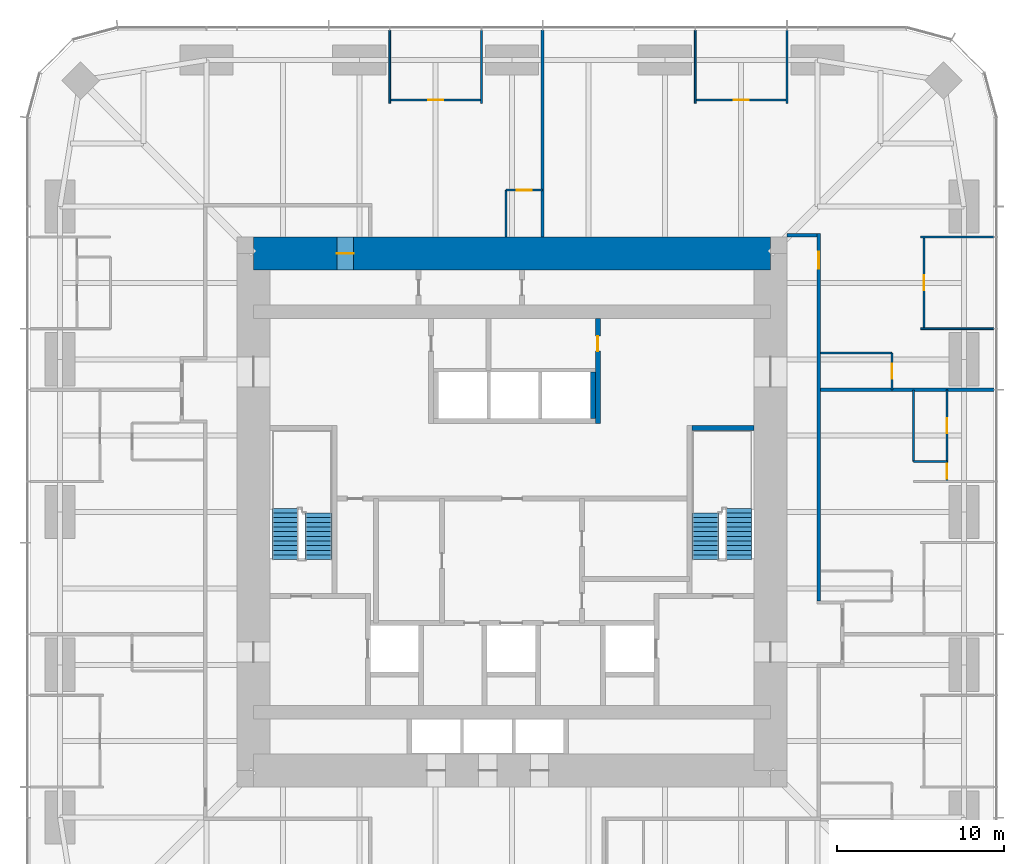
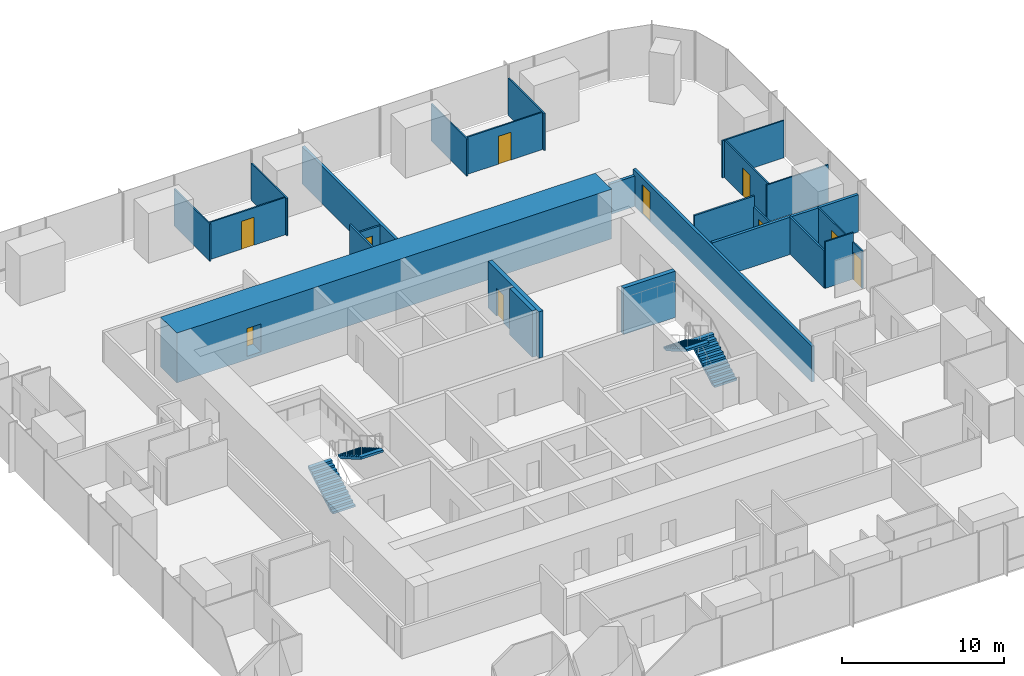
# One storey, part 12 of 13: 24 walls, 10 doors, 4 stair flights, 10 openings, 2 elements without a shape of their own.
"""IFC4 building model written with IfcOpenShell, lengths in metres."""

from ifc_helpers import new_model, si_unit, direction, frame, frame_2d, origin, place, context, subcontext, project, spatial, polyline, rectangle, outline, extrude, material, layer, layer_set, type_object, element, fill, aggregate, save


model = new_model("IFC4")

# Units and contexts
model_context = context("Model", 3, precision=1e-05, world=origin(), true_north=direction((0.0, 1.0)))
body_context = subcontext(model_context, "Body", "Model", "MODEL_VIEW")
ifc_project = project(units=[si_unit("LENGTHUNIT", "METRE"), si_unit("AREAUNIT", "SQUARE_METRE"), si_unit("VOLUMEUNIT", "CUBIC_METRE"), si_unit("PLANEANGLEUNIT", "RADIAN"), si_unit("MASSUNIT", "GRAM", prefix="KILO")], contexts=[model_context])

# Site, building, storey
site_placement = place(None, origin())
site = spatial("IfcSite", under=ifc_project, at=site_placement, CompositionType="ELEMENT")
building_placement = place(site_placement, origin())
building = spatial("IfcBuilding", under=site, at=building_placement, Name="Khuree Lantern Residences", CompositionType="ELEMENT")
storey_placement = place(building_placement, frame((0.0, 0.0, 129.75)))
storey = spatial("IfcBuildingStorey", under=building, at=storey_placement, Name="L32", CompositionType="ELEMENT", Elevation=129.75)

# Wall
ifc_material_1 = material(Name="Moisture-resistant gypsum board on steel studs", Category="steel")
ifc_layer_1 = layer(ifc_material_1, 0.125)
ifc_layer_set_1 = layer_set([ifc_layer_1], Name="BATHROOM WALL BTW125")
wall_type_1 = type_object("IfcWallType", Name="BATHROOM WALL BTW125", PredefinedType="PARTITIONING", material=ifc_layer_set_1)
wall_1_placement = place(storey_placement, frame((24.079833984375, 3.031982421875, 0.0), z_axis=(0.0, 0.0, 1.0), x_axis=(0.0, 1.0, 0.0)))
element("IfcWall", 1, at=wall_1_placement, inside=storey, type_object=wall_type_1, Name="L32 BATHROOM WALL 01", PredefinedType="PARTITIONING", context=body_context, shape_type="SweptSolid", body=[
    extrude(rectangle(XDim=4.2958984375, YDim=0.125, at=frame_2d((2.14794921875, 0.0))), origin(), (0.0, 0.0, 1.0), 2.81005859375),
])

# Wall, opening, door
wall_2_placement = place(storey_placement, frame((22.77978515625, 7.327880859375, 0.0), z_axis=(0.0, 0.0, 1.0), x_axis=(0.0, 1.0, 0.0)))
wall_2 = element("IfcWall", 2, at=wall_2_placement, inside=storey, type_object=wall_type_1, Name="L32 BATHROOM WALL 02", PredefinedType="PARTITIONING", context=body_context, shape_type="SweptSolid", body=[
    extrude(rectangle(XDim=2.2001953125, YDim=0.125, at=frame_2d((1.10009765625, 0.0))), origin(), (0.0, 0.0, 1.0), 2.699951171875),
])
opening_1_placement = place(wall_2_placement, frame((0.64990234375, 0.0, 0.0)))
opening_1 = element("IfcOpeningElement", 3, at=opening_1_placement, cuts=wall_2, Name="Opening 32-032", PredefinedType="OPENING", context=body_context, shape_type="SweptSolid", body=[
    extrude(rectangle(XDim=0.89990234375, YDim=2.10009765625, at=frame_2d((0.449951171875, 1.050048828125))), frame((0.0, 0.072509765625, 0.0), z_axis=(0.0, -1.0, 0.0), x_axis=(1.0, 0.0, 0.0)), (0.0, 0.0, 1.0), 0.14501953125),
])
ifc_material_2 = material(Name="Timber door leaf in hardwood frame", Category="wood")
door_type_1 = type_object("IfcDoorType", Name="BATHROOM DOOR 900X2100", OperationType="SINGLE_SWING_LEFT", PredefinedType="DOOR", material=ifc_material_2)
door_1_placement = place(opening_1_placement, origin())
door_1 = element("IfcDoor", 4, at=door_1_placement, inside=storey, type_object=door_type_1, Name="Bathroom door 32-032", OperationType="SINGLE_SWING_LEFT", OverallHeight=2.10009765625, OverallWidth=0.89990234375, PredefinedType="DOOR", context=body_context, shape_type="SweptSolid", body=[
    extrude(rectangle(XDim=0.89990234375, YDim=2.10009765625, at=frame_2d((0.449951171875, 1.050048828125))), frame((0.0, 0.02490234375, 0.0), z_axis=(0.0, -1.0, 0.0), x_axis=(1.0, 0.0, 0.0)), (0.0, 0.0, 1.0), 0.050048828125),
])
fill(opening_1, door_1)

# Wall
wall_3_placement = place(storey_placement, frame((18.5, 9.528076171875, 0.0), z_axis=(0.0, 0.0, 1.0), x_axis=(1.0, 0.0, 0.0)))
element("IfcWall", 5, at=wall_3_placement, inside=storey, type_object=wall_type_1, Name="L32 BATHROOM WALL 02", PredefinedType="PARTITIONING", context=body_context, shape_type="SweptSolid", body=[
    extrude(rectangle(XDim=4.27978515625, YDim=0.125, at=frame_2d((2.139892578125, 0.0))), origin(), (0.0, 0.0, 1.0), 3.5),
])

# Wall, opening, door
wall_4_placement = place(storey_placement, frame((1.83203125, 19.300048828125, 0.0), z_axis=(0.0, 0.0, 1.0), x_axis=(-1.0, 0.0, 0.0)))
wall_4 = element("IfcWall", 6, at=wall_4_placement, inside=storey, type_object=wall_type_1, Name="L32 BATHROOM WALL 03", PredefinedType="PARTITIONING", context=body_context, shape_type="SweptSolid", body=[
    extrude(rectangle(XDim=2.199951171875, YDim=0.125, at=frame_2d((1.10009765625, 0.0))), origin(), (0.0, 0.0, 1.0), 2.699951171875),
])
opening_2_placement = place(wall_4_placement, frame((0.64990234375, 0.0, 0.0)))
opening_2 = element("IfcOpeningElement", 7, at=opening_2_placement, cuts=wall_4, Name="Opening 32-037", PredefinedType="OPENING", context=body_context, shape_type="SweptSolid", body=[
    extrude(rectangle(XDim=0.89990234375, YDim=2.10009765625, at=frame_2d((0.449951171875, 1.050048828125))), frame((0.0, 0.072509765625, 0.0), z_axis=(0.0, -1.0, 0.0), x_axis=(1.0, 0.0, 0.0)), (0.0, 0.0, 1.0), 0.14501953125),
])
door_2_placement = place(opening_2_placement, origin())
door_2 = element("IfcDoor", 8, at=door_2_placement, inside=storey, type_object=door_type_1, Name="Bathroom door 32-037", OperationType="SINGLE_SWING_LEFT", OverallHeight=2.10009765625, OverallWidth=0.89990234375, PredefinedType="DOOR", context=body_context, shape_type="SweptSolid", body=[
    extrude(rectangle(XDim=0.89990234375, YDim=2.10009765625, at=frame_2d((0.449951171875, 1.050048828125))), frame((0.0, 0.02490234375, 0.0), z_axis=(0.0, -1.0, 0.0), x_axis=(1.0, 0.0, 0.0)), (0.0, 0.0, 1.0), 0.050048828125),
])
fill(opening_2, door_2)

# Walls
wall_5_placement = place(storey_placement, frame((-0.367919921875, 16.5, 0.0), z_axis=(0.0, 0.0, 1.0), x_axis=(0.0, 1.0, 0.0)))
element("IfcWall", 9, at=wall_5_placement, inside=storey, type_object=wall_type_1, Name="L32 BATHROOM WALL 03", PredefinedType="PARTITIONING", context=body_context, shape_type="SweptSolid", body=[
    extrude(rectangle(XDim=2.800048828125, YDim=0.125, at=frame_2d((1.39990234375, 0.0))), origin(), (0.0, 0.0, 1.0), 3.5),
])
ifc_material_3 = material(Name="Dense concrete blockwork", Category="masonry")
ifc_layer_2 = layer(ifc_material_3, 0.300048828125)
ifc_layer_set_2 = layer_set([ifc_layer_2], Name="CORE PARTITION WALL CPW300 EI 120")
wall_type_2 = type_object("IfcWallType", Name="CORE PARTITION WALL CPW300 EI 120", PredefinedType="PARTITIONING", material=ifc_layer_set_2)
wall_6_placement = place(storey_placement, frame((4.85009765625, 5.60009765625, 0.0), z_axis=(0.0, 0.0, 1.0), x_axis=(0.0, 1.0, 0.0)))
element("IfcWall", 10, at=wall_6_placement, inside=storey, type_object=wall_type_2, Name="L32 CORE WALL PHE", PredefinedType="PARTITIONING", context=body_context, shape_type="SweptSolid", body=[
    extrude(rectangle(XDim=2.7998046875, YDim=0.300048828125, at=frame_2d((1.39990234375, 0.0))), origin(), (0.0, 0.0, 1.0), 3.5),
])

# Wall, opening, door
wall_7_placement = place(storey_placement, frame((5.14990234375, 5.300048828125, 0.0), z_axis=(0.0, 0.0, 1.0), x_axis=(0.0, 1.0, 0.0)))
wall_7 = element("IfcWall", 11, at=wall_7_placement, inside=storey, type_object=wall_type_2, Name="L32 CORE WALL NE", PredefinedType="PARTITIONING", context=body_context, shape_type="SweptSolid", body=[
    extrude(rectangle(XDim=6.300048828125, YDim=0.300048828125, at=frame_2d((3.14990234375, 0.0))), origin(), (0.0, 0.0, 1.0), 3.5),
])
opening_3_placement = place(wall_7_placement, frame((4.35009765625, 0.0, 0.0)))
opening_3 = element("IfcOpeningElement", 12, at=opening_3_placement, cuts=wall_7, Name="Opening 32-021", PredefinedType="OPENING", context=body_context, shape_type="SweptSolid", body=[
    extrude(rectangle(XDim=0.89990234375, YDim=2.10009765625, at=frame_2d((0.449951171875, 1.050048828125))), frame((0.0, 0.16015625, 0.0), z_axis=(0.0, -1.0, 0.0), x_axis=(1.0, 0.0, 0.0)), (0.0, 0.0, 1.0), 0.320068359375),
])
door_type_2 = type_object("IfcDoorType", Name="DOOR 900X2100", OperationType="SINGLE_SWING_LEFT", PredefinedType="DOOR", material=ifc_material_2)
door_3_placement = place(opening_3_placement, origin())
door_3 = element("IfcDoor", 13, at=door_3_placement, inside=storey, type_object=door_type_2, Name="Bulky waste store door 32-021", OperationType="SINGLE_SWING_LEFT", OverallHeight=2.10009765625, OverallWidth=0.89990234375, PredefinedType="DOOR", context=body_context, shape_type="SweptSolid", body=[
    extrude(rectangle(XDim=0.89990234375, YDim=2.10009765625, at=frame_2d((0.449951171875, 1.050048828125))), frame((0.0, 0.02490234375, 0.0), z_axis=(0.0, -1.0, 0.0), x_axis=(1.0, 0.0, 0.0)), (0.0, 0.0, 1.0), 0.050048828125),
])
fill(opening_3, door_3)

# Wall
ifc_material_4 = material(Name="Gypsum board on steel studs", Category="steel")
ifc_layer_3 = layer(ifc_material_4, 0.199951171875)
ifc_layer_set_3 = layer_set([ifc_layer_3], Name="CORRIDOR WALL CRW200 EI 60")
wall_type_3 = type_object("IfcWallType", Name="CORRIDOR WALL CRW200 EI 60", PredefinedType="PARTITIONING", material=ifc_layer_set_3)
wall_8_placement = place(storey_placement, frame((16.5, 16.60009765625, 0.0), z_axis=(0.0, 0.0, 1.0), x_axis=(1.0, 0.0, 0.0)))
element("IfcWall", 14, at=wall_8_placement, inside=storey, type_object=wall_type_3, Name="L32 EAST CORRIDOR NORTH END WALL", PredefinedType="PARTITIONING", context=body_context, shape_type="SweptSolid", body=[
    extrude(rectangle(XDim=1.800048828125, YDim=0.199951171875, at=frame_2d((0.89990234375, 0.0))), origin(), (0.0, 0.0, 1.0), 2.300048828125),
])

# Wall, opening, door
wall_9_placement = place(storey_placement, frame((18.39990234375, -5.327880859375, 0.0), z_axis=(0.0, 0.0, 1.0), x_axis=(0.0, 1.0, 0.0)))
wall_9 = element("IfcWall", 15, at=wall_9_placement, inside=storey, type_object=wall_type_3, Name="L32 CORRIDOR WALL EAST 2", PredefinedType="PARTITIONING", context=body_context, shape_type="SweptSolid", body=[
    extrude(rectangle(XDim=22.02783203125, YDim=0.199951171875, at=frame_2d((11.013916015625, 0.0))), origin(), (0.0, 0.0, 1.0), 2.699951171875),
])
opening_4_placement = place(wall_9_placement, frame((19.926025390625, 0.0, 0.0)))
opening_4 = element("IfcOpeningElement", 16, at=opening_4_placement, cuts=wall_9, Name="Opening 32-033", PredefinedType="OPENING", context=body_context, shape_type="SweptSolid", body=[
    extrude(rectangle(XDim=1.0, YDim=2.199951171875, at=frame_2d((0.5, 1.10009765625))), frame((0.0, 0.10986328125, 0.0), z_axis=(0.0, -1.0, 0.0), x_axis=(1.0, 0.0, 0.0)), (0.0, 0.0, 1.0), 0.219970703125),
])
door_type_3 = type_object("IfcDoorType", Name="APARTMENT ENTRANCE DOOR 1000X2200 EI 30S RIGHT HAND", OperationType="SINGLE_SWING_RIGHT", PredefinedType="DOOR", material=ifc_material_2)
door_4_placement = place(opening_4_placement, origin())
door_4 = element("IfcDoor", 17, at=door_4_placement, inside=storey, type_object=door_type_3, Name="Apartment 02 entrance door 32-033", OperationType="SINGLE_SWING_RIGHT", OverallHeight=2.199951171875, OverallWidth=1.0, PredefinedType="DOOR", context=body_context, shape_type="SweptSolid", body=[
    extrude(rectangle(XDim=1.0, YDim=2.199951171875, at=frame_2d((0.5, 1.10009765625))), frame((0.0, 0.02490234375, 0.0), z_axis=(0.0, -1.0, 0.0), x_axis=(1.0, 0.0, 0.0)), (0.0, 0.0, 1.0), 0.050048828125),
])
fill(opening_4, door_4)

ifc_material_5 = material(Name="Concrete C70/85", Category="concrete")
ifc_layer_4 = layer(ifc_material_5, 2.0)
ifc_layer_set_4 = layer_set([ifc_layer_4], Name="CW2000-C70 CORE WALL C70 2000")
wall_type_4 = type_object("IfcWallType", Name="CW2000-C70 CORE WALL C70 2000", PredefinedType="SHEAR", material=ifc_layer_set_4)
wall_10_placement = place(storey_placement, frame((-15.5, 15.5, -0.25), z_axis=(0.0, 0.0, 1.0), x_axis=(1.0, 0.0, 0.0)))
wall_10 = element("IfcWall", 18, at=wall_10_placement, inside=storey, type_object=wall_type_4, Name="Core wall N", PredefinedType="SHEAR", context=body_context, shape_type="SweptSolid", body=[
    extrude(rectangle(XDim=31.0, YDim=2.0, at=frame_2d((15.5, 0.0))), origin(), (0.0, 0.0, 1.0), 3.75),
])
opening_5_placement = place(wall_10_placement, frame((5.0, 0.0, 0.25)))
opening_5 = element("IfcOpeningElement", 19, at=opening_5_placement, cuts=wall_10, Name="Opening 32-024", PredefinedType="OPENING", context=body_context, shape_type="SweptSolid", body=[
    extrude(rectangle(XDim=1.0, YDim=2.10009765625, at=frame_2d((0.5, 1.050048828125))), frame((0.0, 1.010009765625, 0.0), z_axis=(0.0, -1.0, 0.0), x_axis=(1.0, 0.0, 0.0)), (0.0, 0.0, 1.0), 2.02001953125),
])
ifc_material_6 = material(Name="Steel door leaf in steel frame", Category="steel")
door_type_4 = type_object("IfcDoorType", Name="DOOR 1000X2100 EI 60 RIGHT HAND", OperationType="SINGLE_SWING_RIGHT", PredefinedType="DOOR", material=ifc_material_6)
door_5_placement = place(opening_5_placement, origin())
door_5 = element("IfcDoor", 20, at=door_5_placement, inside=storey, type_object=door_type_4, Name="Residents' store door 32-024", OperationType="SINGLE_SWING_RIGHT", OverallHeight=2.10009765625, OverallWidth=1.0, PredefinedType="DOOR", context=body_context, shape_type="SweptSolid", body=[
    extrude(rectangle(XDim=1.0, YDim=2.10009765625, at=frame_2d((0.5, 1.050048828125))), frame((0.0, 0.02490234375, 0.0), z_axis=(0.0, -1.0, 0.0), x_axis=(1.0, 0.0, 0.0)), (0.0, 0.0, 1.0), 0.050048828125),
])
fill(opening_5, door_5)

# Walls
ifc_layer_5 = layer(ifc_material_4, 0.199951171875)
ifc_layer_set_5 = layer_set([ifc_layer_5], Name="DEMISING WALL DMW200 EI 90")
wall_type_5 = type_object("IfcWallType", Name="DEMISING WALL DMW200 EI 90", PredefinedType="PARTITIONING", material=ifc_layer_set_5)
wall_11_placement = place(storey_placement, frame((18.5, 7.327880859375, 0.0), z_axis=(0.0, 0.0, 1.0), x_axis=(1.0, 0.0, 0.0)))
element("IfcWall", 21, at=wall_11_placement, inside=storey, type_object=wall_type_5, Name="L32 DEMISING WALL 02", PredefinedType="PARTITIONING", context=body_context, shape_type="SweptSolid", body=[
    extrude(rectangle(XDim=10.39990234375, YDim=0.199951171875, at=frame_2d((5.199951171875, 0.0))), origin(), (0.0, 0.0, 1.0), 2.81005859375),
])
wall_12_placement = place(storey_placement, frame((1.83203125, 16.5, 0.0), z_axis=(0.0, 0.0, 1.0), x_axis=(0.0, 1.0, 0.0)))
element("IfcWall", 22, at=wall_12_placement, inside=storey, type_object=wall_type_5, Name="L32 DEMISING WALL 03", PredefinedType="PARTITIONING", context=body_context, shape_type="SweptSolid", body=[
    extrude(rectangle(XDim=12.39990234375, YDim=0.199951171875, at=frame_2d((6.199951171875, 0.0))), origin(), (0.0, 0.0, 1.0), 2.81005859375),
])
ifc_layer_6 = layer(ifc_material_4, 0.10009765625)
ifc_layer_set_6 = layer_set([ifc_layer_6], Name="PARTITION PT100")
wall_type_6 = type_object("IfcWallType", Name="PARTITION PT100", PredefinedType="PARTITIONING", material=ifc_layer_set_6)
for number, where, z_axis, x_axis, name in (
    (23, (24.5, 10.991943359375, 0.0), (0.0, 0.0, 1.0), (1.0, 0.0, 0.0), "L32 PARTITION 02"),
    (24, (24.5, 16.488037109375, 0.0), (0.0, 0.0, 1.0), (1.0, 0.0, 0.0), "L32 PARTITION 02"),
    (25, (16.488037109375, 24.5, 0.0), (0.0, 0.0, 1.0), (0.0, 1.0, 0.0), "L32 PARTITION 02"),
    (26, (10.991943359375, 24.5, 0.0), (0.0, 0.0, 1.0), (0.0, 1.0, 0.0), "L32 PARTITION 02"),
    (27, (-1.83203125, 24.5, 0.0), (0.0, 0.0, 1.0), (0.0, 1.0, 0.0), "L32 PARTITION 03"),
    (28, (-7.327880859375, 24.5, 0.0), (0.0, 0.0, 1.0), (0.0, 1.0, 0.0), "L32 PARTITION 03"),
):
    element("IfcWall", number, at=place(storey_placement, frame(where, z_axis=z_axis, x_axis=x_axis)), inside=storey, type_object=wall_type_6, Name=name, PredefinedType="PARTITIONING", context=body_context, shape_type="SweptSolid", body=[
        extrude(rectangle(XDim=4.39990234375, YDim=0.10009765625, at=frame_2d((2.199951171875, 0.0))), origin(), (0.0, 0.0, 1.0), 2.81005859375),
    ])

# Wall, openings, doors
wall_13_placement = place(storey_placement, frame((26.079833984375, 1.83203125, 0.0), z_axis=(0.0, 0.0, 1.0), x_axis=(0.0, 1.0, 0.0)))
wall_13 = element("IfcWall", 29, at=wall_13_placement, inside=storey, type_object=wall_type_6, Name="L32 PARTITION 01", PredefinedType="PARTITIONING", context=body_context, shape_type="SweptSolid", body=[
    extrude(rectangle(XDim=5.495849609375, YDim=0.10009765625, at=frame_2d((2.748046875, 0.0))), origin(), (0.0, 0.0, 1.0), 2.81005859375),
])
opening_6_placement = place(wall_13_placement, frame((0.14990234375, 0.0, 0.0)))
opening_6 = element("IfcOpeningElement", 30, at=opening_6_placement, cuts=wall_13, Name="Opening 32-026", PredefinedType="OPENING", context=body_context, shape_type="SweptSolid", body=[
    extrude(rectangle(XDim=0.89990234375, YDim=2.10009765625, at=frame_2d((0.449951171875, 1.050048828125))), frame((0.0, 0.06005859375, 0.0), z_axis=(0.0, -1.0, 0.0), x_axis=(1.0, 0.0, 0.0)), (0.0, 0.0, 1.0), 0.1201171875),
])
opening_7_placement = place(wall_13_placement, frame((2.89794921875, 0.0, 0.0)))
opening_7 = element("IfcOpeningElement", 31, at=opening_7_placement, cuts=wall_13, Name="Opening 32-027", PredefinedType="OPENING", context=body_context, shape_type="SweptSolid", body=[
    extrude(rectangle(XDim=0.89990234375, YDim=2.10009765625, at=frame_2d((0.449951171875, 1.050048828125))), frame((0.0, 0.06005859375, 0.0), z_axis=(0.0, -1.0, 0.0), x_axis=(1.0, 0.0, 0.0)), (0.0, 0.0, 1.0), 0.1201171875),
])
door_6_placement = place(opening_7_placement, origin())
door_6 = element("IfcDoor", 32, at=door_6_placement, inside=storey, type_object=door_type_1, Name="Bathroom door 32-027", OperationType="SINGLE_SWING_LEFT", OverallHeight=2.10009765625, OverallWidth=0.89990234375, PredefinedType="DOOR", context=body_context, shape_type="SweptSolid", body=[
    extrude(rectangle(XDim=0.89990234375, YDim=2.10009765625, at=frame_2d((0.449951171875, 1.050048828125))), frame((0.0, 0.02490234375, 0.0), z_axis=(0.0, -1.0, 0.0), x_axis=(1.0, 0.0, 0.0)), (0.0, 0.0, 1.0), 0.050048828125),
])
fill(opening_7, door_6)
door_type_5 = type_object("IfcDoorType", Name="BEDROOM DOOR 900X2100", OperationType="SINGLE_SWING_LEFT", PredefinedType="DOOR", material=ifc_material_2)
door_7_placement = place(opening_6_placement, origin())
door_7 = element("IfcDoor", 33, at=door_7_placement, inside=storey, type_object=door_type_5, Name="Bedroom door 32-026", OperationType="SINGLE_SWING_LEFT", OverallHeight=2.10009765625, OverallWidth=0.89990234375, PredefinedType="DOOR", context=body_context, shape_type="SweptSolid", body=[
    extrude(rectangle(XDim=0.89990234375, YDim=2.10009765625, at=frame_2d((0.449951171875, 1.050048828125))), frame((0.0, 0.02490234375, 0.0), z_axis=(0.0, -1.0, 0.0), x_axis=(1.0, 0.0, 0.0)), (0.0, 0.0, 1.0), 0.050048828125),
])
fill(opening_6, door_7)

# Wall
wall_14_placement = place(storey_placement, frame((24.079833984375, 3.031982421875, 0.0), z_axis=(0.0, 0.0, 1.0), x_axis=(1.0, 0.0, 0.0)))
element("IfcWall", 34, at=wall_14_placement, inside=storey, type_object=wall_type_6, Name="L32 PARTITION 01", PredefinedType="PARTITIONING", context=body_context, shape_type="SweptSolid", body=[
    extrude(rectangle(XDim=2.0, YDim=0.10009765625, at=frame_2d((1.0, 0.0))), origin(), (0.0, 0.0, 1.0), 3.5),
])

# Wall, opening, door
wall_15_placement = place(storey_placement, frame((24.699951171875, 10.991943359375, 0.0), z_axis=(0.0, 0.0, 1.0), x_axis=(0.0, 1.0, 0.0)))
wall_15 = element("IfcWall", 35, at=wall_15_placement, inside=storey, type_object=wall_type_6, Name="L32 PARTITION 02", PredefinedType="PARTITIONING", context=body_context, shape_type="SweptSolid", body=[
    extrude(rectangle(XDim=5.49609375, YDim=0.10009765625, at=frame_2d((2.748046875, 0.0))), origin(), (0.0, 0.0, 1.0), 2.81005859375),
])
opening_8_placement = place(wall_15_placement, frame((2.298095703125, 0.0, 0.0)))
opening_8 = element("IfcOpeningElement", 36, at=opening_8_placement, cuts=wall_15, Name="Opening 32-030", PredefinedType="OPENING", context=body_context, shape_type="SweptSolid", body=[
    extrude(rectangle(XDim=0.89990234375, YDim=2.10009765625, at=frame_2d((0.449951171875, 1.050048828125))), frame((0.0, 0.06005859375, 0.0), z_axis=(0.0, -1.0, 0.0), x_axis=(1.0, 0.0, 0.0)), (0.0, 0.0, 1.0), 0.1201171875),
])
door_8_placement = place(opening_8_placement, origin())
door_8 = element("IfcDoor", 37, at=door_8_placement, inside=storey, type_object=door_type_5, Name="Bedroom door 32-030", OperationType="SINGLE_SWING_LEFT", OverallHeight=2.10009765625, OverallWidth=0.89990234375, PredefinedType="DOOR", context=body_context, shape_type="SweptSolid", body=[
    extrude(rectangle(XDim=0.89990234375, YDim=2.10009765625, at=frame_2d((0.449951171875, 1.050048828125))), frame((0.0, 0.02490234375, 0.0), z_axis=(0.0, -1.0, 0.0), x_axis=(1.0, 0.0, 0.0)), (0.0, 0.0, 1.0), 0.050048828125),
])
fill(opening_8, door_8)

wall_16_placement = place(storey_placement, frame((16.488037109375, 24.699951171875, 0.0), z_axis=(0.0, 0.0, 1.0), x_axis=(-1.0, 0.0, 0.0)))
wall_16 = element("IfcWall", 38, at=wall_16_placement, inside=storey, type_object=wall_type_6, Name="L32 PARTITION 02", PredefinedType="PARTITIONING", context=body_context, shape_type="SweptSolid", body=[
    extrude(rectangle(XDim=5.49609375, YDim=0.10009765625, at=frame_2d((2.748046875, 0.0))), origin(), (0.0, 0.0, 1.0), 2.81005859375),
])
opening_9_placement = place(wall_16_placement, frame((2.298095703125, 0.0, 0.0)))
opening_9 = element("IfcOpeningElement", 39, at=opening_9_placement, cuts=wall_16, Name="Opening 32-031", PredefinedType="OPENING", context=body_context, shape_type="SweptSolid", body=[
    extrude(rectangle(XDim=0.89990234375, YDim=2.10009765625, at=frame_2d((0.449951171875, 1.050048828125))), frame((0.0, 0.06005859375, 0.0), z_axis=(0.0, -1.0, 0.0), x_axis=(1.0, 0.0, 0.0)), (0.0, 0.0, 1.0), 0.1201171875),
])
door_9_placement = place(opening_9_placement, origin())
door_9 = element("IfcDoor", 40, at=door_9_placement, inside=storey, type_object=door_type_5, Name="Bedroom door 32-031", OperationType="SINGLE_SWING_LEFT", OverallHeight=2.10009765625, OverallWidth=0.89990234375, PredefinedType="DOOR", context=body_context, shape_type="SweptSolid", body=[
    extrude(rectangle(XDim=0.89990234375, YDim=2.10009765625, at=frame_2d((0.449951171875, 1.050048828125))), frame((0.0, 0.02490234375, 0.0), z_axis=(0.0, -1.0, 0.0), x_axis=(1.0, 0.0, 0.0)), (0.0, 0.0, 1.0), 0.050048828125),
])
fill(opening_9, door_9)

wall_17_placement = place(storey_placement, frame((-1.83203125, 24.699951171875, 0.0), z_axis=(0.0, 0.0, 1.0), x_axis=(-1.0, 0.0, 0.0)))
wall_17 = element("IfcWall", 41, at=wall_17_placement, inside=storey, type_object=wall_type_6, Name="L32 PARTITION 03", PredefinedType="PARTITIONING", context=body_context, shape_type="SweptSolid", body=[
    extrude(rectangle(XDim=5.495849609375, YDim=0.10009765625, at=frame_2d((2.748046875, 0.0))), origin(), (0.0, 0.0, 1.0), 2.81005859375),
])
opening_10_placement = place(wall_17_placement, frame((2.298095703125, 0.0, 0.0)))
opening_10 = element("IfcOpeningElement", 42, at=opening_10_placement, cuts=wall_17, Name="Opening 32-034", PredefinedType="OPENING", context=body_context, shape_type="SweptSolid", body=[
    extrude(rectangle(XDim=0.89990234375, YDim=2.10009765625, at=frame_2d((0.449951171875, 1.050048828125))), frame((0.0, 0.06005859375, 0.0), z_axis=(0.0, -1.0, 0.0), x_axis=(1.0, 0.0, 0.0)), (0.0, 0.0, 1.0), 0.1201171875),
])
door_10_placement = place(opening_10_placement, origin())
door_10 = element("IfcDoor", 43, at=door_10_placement, inside=storey, type_object=door_type_5, Name="Bedroom door 32-034", OperationType="SINGLE_SWING_LEFT", OverallHeight=2.10009765625, OverallWidth=0.89990234375, PredefinedType="DOOR", context=body_context, shape_type="SweptSolid", body=[
    extrude(rectangle(XDim=0.89990234375, YDim=2.10009765625, at=frame_2d((0.449951171875, 1.050048828125))), frame((0.0, 0.02490234375, 0.0), z_axis=(0.0, -1.0, 0.0), x_axis=(1.0, 0.0, 0.0)), (0.0, 0.0, 1.0), 0.050048828125),
])
fill(opening_10, door_10)

# Wall
ifc_material_7 = material(Name="Concrete C50/60", Category="concrete")
ifc_layer_7 = layer(ifc_material_7, 0.300048828125)
ifc_layer_set_7 = layer_set([ifc_layer_7], Name="STAIR WALL SRW300 C50/60 REI 240")
wall_type_7 = type_object("IfcWallType", Name="STAIR WALL SRW300 C50/60 REI 240", PredefinedType="SOLIDWALL", material=ifc_layer_set_7)
wall_18_placement = place(storey_placement, frame((14.5, 5.050048828125, 0.0), z_axis=(0.0, 0.0, 1.0), x_axis=(-1.0, 0.0, 0.0)))
element("IfcWall", 44, at=wall_18_placement, inside=storey, type_object=wall_type_7, Name="L32 STAIR WALL ST2N", PredefinedType="SOLIDWALL", context=body_context, shape_type="SweptSolid", body=[
    extrude(rectangle(XDim=3.699951171875, YDim=0.300048828125, at=frame_2d((1.85009765625, 0.0))), origin(), (0.0, 0.0, 1.0), 3.5),
])

# Stair, stair flights
ifc_material_8 = material(Name="Concrete C40/50", Category="concrete")
stair_type = type_object("IfcStairType", Name="STAIR ST1 HALF TURN 3600", PredefinedType="HALF_TURN_STAIR", material=ifc_material_8)
stair_1_placement = place(storey_placement, origin())
stair_1 = element("IfcStair", 45, at=stair_1_placement, inside=storey, type_object=stair_type, Name="Stair ST1", PredefinedType="HALF_TURN_STAIR")
stair_flight_type = type_object("IfcStairFlightType", Name="STAIR FLIGHT SF1 1600", PredefinedType="STRAIGHT", material=ifc_material_8)
stair_flight_1_placement = place(storey_placement, frame((-13.60009765625, -2.860107421875, 0.0), z_axis=(0.0, 0.0, 1.0), x_axis=(0.0, 1.0, 0.0)))
stair_flight_1 = element("IfcStairFlight", 46, at=stair_flight_1_placement, type_object=stair_flight_type, Name="ST1 flight 1", NumberOfRisers=12, NumberOfTreads=11, PredefinedType="STRAIGHT", RiserHeight=0.163043478, TreadLength=0.28, context=body_context, shape_type="SweptSolid", body=[
    extrude(outline(polyline([(0.0, 0.0), (0.0, 0.1630859375), (0.280029296875, 0.1630859375), (0.280029296875, 0.326171875), (0.56005859375, 0.326171875), (0.56005859375, 0.489013671875), (0.840087890625, 0.489013671875), (0.840087890625, 0.652099609375), (1.1201171875, 0.652099609375), (1.1201171875, 0.815185546875), (1.39990234375, 0.815185546875), (1.39990234375, 0.978271484375), (1.679931640625, 0.978271484375), (1.679931640625, 1.141357421875), (1.9599609375, 1.141357421875), (1.9599609375, 1.304443359375), (2.239990234375, 1.304443359375), (2.239990234375, 1.46728515625), (2.52001953125, 1.46728515625), (2.52001953125, 1.63037109375), (2.800048828125, 1.63037109375), (2.800048828125, 1.79345703125), (3.080078125, 1.79345703125), (3.080078125, 1.95654296875), (3.080078125, 1.6201171875), (0.2978515625, 0.0), (0.0, 0.0)])), frame((0.0, 0.800048828125, 0.0), z_axis=(0.0, -1.0, 0.0), x_axis=(1.0, 0.0, 0.0)), (0.0, 0.0, 1.0), 1.60009765625),
])
stair_flight_2_placement = place(storey_placement, frame((-11.60009765625, -0.06005859375, 1.95654296875), z_axis=(0.0, 0.0, 1.0), x_axis=(0.0, -1.0, 0.0)))
stair_flight_2 = element("IfcStairFlight", 47, at=stair_flight_2_placement, type_object=stair_flight_type, Name="ST1 flight 2", NumberOfRisers=11, NumberOfTreads=10, PredefinedType="STRAIGHT", RiserHeight=0.163043478, TreadLength=0.28, context=body_context, shape_type="SweptSolid", body=[
    extrude(outline(polyline([(0.0, 0.0), (0.0, 0.1630859375), (0.280029296875, 0.1630859375), (0.280029296875, 0.326171875), (0.56005859375, 0.326171875), (0.56005859375, 0.489013671875), (0.840087890625, 0.489013671875), (0.840087890625, 0.652099609375), (1.1201171875, 0.652099609375), (1.1201171875, 0.815185546875), (1.39990234375, 0.815185546875), (1.39990234375, 0.978271484375), (1.679931640625, 0.978271484375), (1.679931640625, 1.141357421875), (1.9599609375, 1.141357421875), (1.9599609375, 1.304443359375), (2.239990234375, 1.304443359375), (2.239990234375, 1.46728515625), (2.52001953125, 1.46728515625), (2.52001953125, 1.63037109375), (2.800048828125, 1.63037109375), (2.800048828125, 1.79345703125), (2.800048828125, 1.45703125), (0.2978515625, 0.0), (0.0, 0.0)])), frame((0.0, 0.800048828125, 0.0), z_axis=(0.0, -1.0, 0.0), x_axis=(1.0, 0.0, 0.0)), (0.0, 0.0, 1.0), 1.60009765625),
])
aggregate(stair_1, [stair_flight_1, stair_flight_2])

stair_2_placement = place(storey_placement, origin())
stair_2 = element("IfcStair", 48, at=stair_2_placement, inside=storey, type_object=stair_type, Name="Stair ST2", PredefinedType="HALF_TURN_STAIR")
stair_flight_3_placement = place(storey_placement, frame((13.60009765625, -2.860107421875, 0.0), z_axis=(0.0, 0.0, 1.0), x_axis=(0.0, 1.0, 0.0)))
stair_flight_3 = element("IfcStairFlight", 49, at=stair_flight_3_placement, type_object=stair_flight_type, Name="ST2 flight 1", NumberOfRisers=12, NumberOfTreads=11, PredefinedType="STRAIGHT", RiserHeight=0.163043478, TreadLength=0.28, context=body_context, shape_type="SweptSolid", body=[
    extrude(outline(polyline([(0.0, 0.0), (0.0, 0.1630859375), (0.280029296875, 0.1630859375), (0.280029296875, 0.326171875), (0.56005859375, 0.326171875), (0.56005859375, 0.489013671875), (0.840087890625, 0.489013671875), (0.840087890625, 0.652099609375), (1.1201171875, 0.652099609375), (1.1201171875, 0.815185546875), (1.39990234375, 0.815185546875), (1.39990234375, 0.978271484375), (1.679931640625, 0.978271484375), (1.679931640625, 1.141357421875), (1.9599609375, 1.141357421875), (1.9599609375, 1.304443359375), (2.239990234375, 1.304443359375), (2.239990234375, 1.46728515625), (2.52001953125, 1.46728515625), (2.52001953125, 1.63037109375), (2.800048828125, 1.63037109375), (2.800048828125, 1.79345703125), (3.080078125, 1.79345703125), (3.080078125, 1.95654296875), (3.080078125, 1.6201171875), (0.2978515625, 0.0), (0.0, 0.0)])), frame((0.0, 0.800048828125, 0.0), z_axis=(0.0, -1.0, 0.0), x_axis=(1.0, 0.0, 0.0)), (0.0, 0.0, 1.0), 1.60009765625),
])
stair_flight_4_placement = place(storey_placement, frame((11.60009765625, -0.06005859375, 1.95654296875), z_axis=(0.0, 0.0, 1.0), x_axis=(0.0, -1.0, 0.0)))
stair_flight_4 = element("IfcStairFlight", 50, at=stair_flight_4_placement, type_object=stair_flight_type, Name="ST2 flight 2", NumberOfRisers=11, NumberOfTreads=10, PredefinedType="STRAIGHT", RiserHeight=0.163043478, TreadLength=0.28, context=body_context, shape_type="SweptSolid", body=[
    extrude(outline(polyline([(0.0, 0.0), (0.0, 0.1630859375), (0.280029296875, 0.1630859375), (0.280029296875, 0.326171875), (0.56005859375, 0.326171875), (0.56005859375, 0.489013671875), (0.840087890625, 0.489013671875), (0.840087890625, 0.652099609375), (1.1201171875, 0.652099609375), (1.1201171875, 0.815185546875), (1.39990234375, 0.815185546875), (1.39990234375, 0.978271484375), (1.679931640625, 0.978271484375), (1.679931640625, 1.141357421875), (1.9599609375, 1.141357421875), (1.9599609375, 1.304443359375), (2.239990234375, 1.304443359375), (2.239990234375, 1.46728515625), (2.52001953125, 1.46728515625), (2.52001953125, 1.63037109375), (2.800048828125, 1.63037109375), (2.800048828125, 1.79345703125), (2.800048828125, 1.45703125), (0.2978515625, 0.0), (0.0, 0.0)])), frame((0.0, 0.800048828125, 0.0), z_axis=(0.0, -1.0, 0.0), x_axis=(1.0, 0.0, 0.0)), (0.0, 0.0, 1.0), 1.60009765625),
])
aggregate(stair_2, [stair_flight_3, stair_flight_4])

save(model, "model.ifc")
